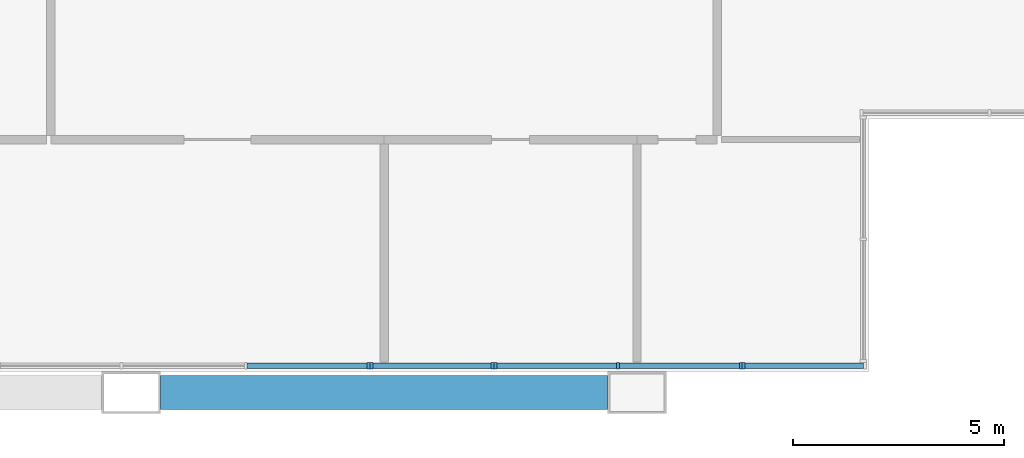
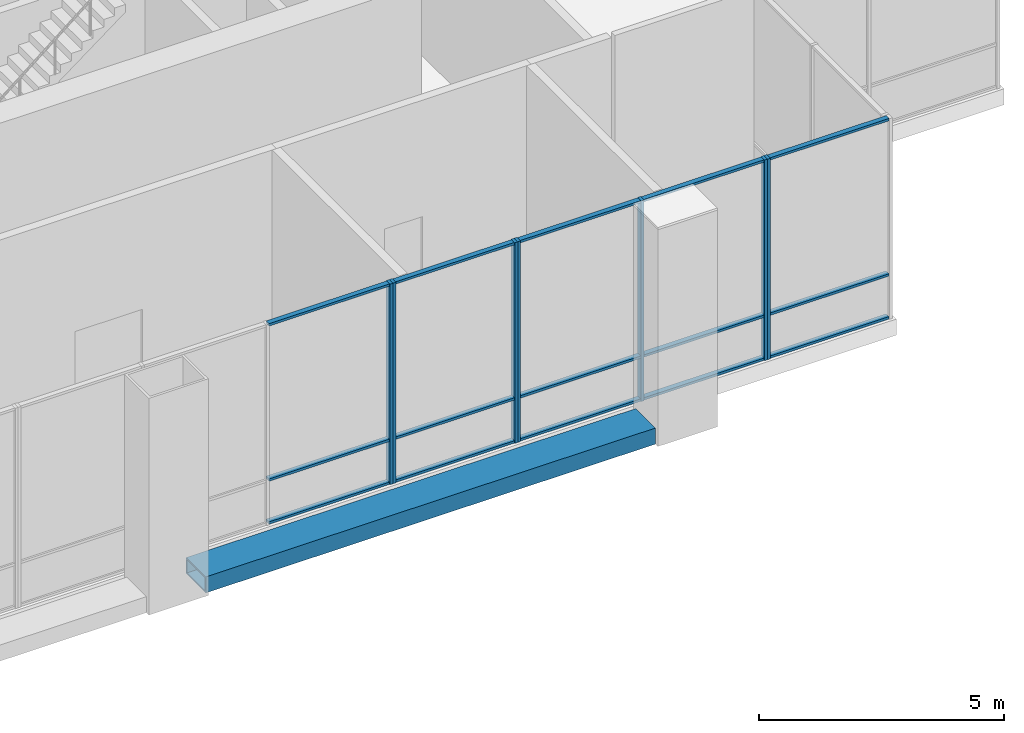
# One storey, part 6 of 20: 22 members, 1 beam, 4 elements without a shape of their own.
"""IFC4 building model written with IfcOpenShell, lengths in metres."""

from ifc_helpers import new_model, si_unit, direction, frame, origin, origin_2d, place, context, subcontext, project, spatial, rectangle, hollow_rectangle, extrude, material, material_profile, profile_set, type_object, element, aggregate, save


model = new_model("IFC4")

# Units and contexts
model_context = context("Model", 3, precision=1e-05, world=origin(), true_north=direction((0.0, 1.0)))
body_context = subcontext(model_context, "Body", "Model", "MODEL_VIEW")
ifc_project = project(units=[si_unit("LENGTHUNIT", "METRE"), si_unit("AREAUNIT", "SQUARE_METRE"), si_unit("VOLUMEUNIT", "CUBIC_METRE"), si_unit("PLANEANGLEUNIT", "RADIAN"), si_unit("MASSUNIT", "GRAM", prefix="KILO")], contexts=[model_context])

# Site, building, storey
site_placement = place(None, origin())
site = spatial("IfcSite", under=ifc_project, at=site_placement, CompositionType="ELEMENT")
building_placement = place(site_placement, origin())
building = spatial("IfcBuilding", under=site, at=building_placement, Name="Kitamizu Gate Tower and Museum", CompositionType="ELEMENT")
storey_placement = place(building_placement, frame((0.0, 0.0, 148.35009765625)))
storey = spatial("IfcBuildingStorey", under=building, at=storey_placement, Name="L39", CompositionType="ELEMENT", Elevation=148.35009765625)

# Beam
ifc_material_1 = material(Name="Steel SM490A bronze coated", Category="steel")
ifc_material_profile_1 = material_profile(ifc_material_1, hollow_rectangle(XDim=0.800048828125, YDim=0.39990234375, WallThickness=0.0400390625, at=origin_2d()), Name="BOX 800x400x40")
ifc_profile_set_1 = profile_set([ifc_material_profile_1], Name="Steel SM490A bronze coated")
beam_type = type_object("IfcBeamType", Name="Exoskeleton spandrel beam SB1 BOX 800x400x40", PredefinedType="SPANDREL", material=ifc_profile_set_1)
beam_placement = place(storey_placement, frame((48.699951171875, 12.0, -0.2001953125), z_axis=(1.0, 0.0, 0.0), x_axis=(0.0, 1.0, 0.0)))
element("IfcBeam", 1, at=beam_placement, inside=storey, type_object=beam_type, Name="Exoskeleton spandrel beam south 48 L39", PredefinedType="SPANDREL", context=body_context, shape_type="SweptSolid", body=[
    extrude(hollow_rectangle(XDim=0.800048828125, YDim=0.39990234375, WallThickness=0.0400390625, at=origin_2d()), origin(), (0.0, 0.0, 1.0), 10.60009765625),
])

# Curtain wall, member
ifc_material_2 = material(Name="Bronze anodised aluminium frame, insulated panels", Category="aluminium")
curtain_wall_type_1 = type_object("IfcCurtainWallType", Name="CURTAIN WALL TYPE B SKY LOBBY INSULATED", PredefinedType="NOTDEFINED", material=ifc_material_2)
curtain_wall_1_placement = place(storey_placement, origin())
curtain_wall_1 = element("IfcCurtainWall", 2, at=curtain_wall_1_placement, inside=storey, type_object=curtain_wall_type_1, Name="Curtain wall CW-BI south L39 part 8", PredefinedType="NOTDEFINED")
ifc_material_3 = material(Name="Bronze anodised aluminium", Category="aluminium")
ifc_material_profile_2 = material_profile(ifc_material_3, rectangle(XDim=0.070068359375, YDim=0.14990234375, at=origin_2d()), Name="AL 70X150")
ifc_profile_set_2 = profile_set([ifc_material_profile_2], Name="Bronze anodised aluminium")
member_type_1 = type_object("IfcMemberType", Name="MULLION 70 X 150 TYPE B", PredefinedType="MULLION", material=ifc_profile_set_2)
member_1_placement = place(storey_placement, frame((53.62890625, 12.635009765625, 0.0), z_axis=(0.0, 0.0, 1.0), x_axis=(1.0, 0.0, 0.0)))
member_1 = element("IfcMember", 3, at=member_1_placement, type_object=member_type_1, Name="CW-BI mullion 4", PredefinedType="MULLION", context=body_context, shape_type="SweptSolid", body=[
    extrude(rectangle(XDim=0.070068359375, YDim=0.14990234375, at=origin_2d()), origin(), (0.0, 0.0, 1.0), 5.0),
])

# Curtain wall, members
ifc_material_4 = material(Name="Bronze anodised aluminium frame, tinted triple glazing", Category="aluminium")
curtain_wall_type_2 = type_object("IfcCurtainWallType", Name="CURTAIN WALL TYPE B SKY LOBBY", PredefinedType="NOTDEFINED", material=ifc_material_4)
curtain_wall_2_placement = place(storey_placement, origin())
curtain_wall_2 = element("IfcCurtainWall", 4, at=curtain_wall_2_placement, inside=storey, type_object=curtain_wall_type_2, Name="Curtain wall CW-B south L39 part 9", PredefinedType="NOTDEFINED")
member_2_placement = place(storey_placement, frame((53.698974609375, 12.635009765625, 0.0), z_axis=(0.0, 0.0, 1.0), x_axis=(1.0, 0.0, 0.0)))
member_2 = element("IfcMember", 5, at=member_2_placement, type_object=member_type_1, Name="CW-B mullion 1", PredefinedType="MULLION", context=body_context, shape_type="SweptSolid", body=[
    extrude(rectangle(XDim=0.070068359375, YDim=0.14990234375, at=origin_2d()), origin(), (0.0, 0.0, 1.0), 5.0),
])
member_3_placement = place(storey_placement, frame((56.572998046875, 12.635009765625, 0.0), z_axis=(0.0, 0.0, 1.0), x_axis=(1.0, 0.0, 0.0)))
member_3 = element("IfcMember", 6, at=member_3_placement, type_object=member_type_1, Name="CW-B mullion 2", PredefinedType="MULLION", context=body_context, shape_type="SweptSolid", body=[
    extrude(rectangle(XDim=0.070068359375, YDim=0.14990234375, at=origin_2d()), origin(), (0.0, 0.0, 1.0), 5.0),
])

curtain_wall_3_placement = place(storey_placement, origin())
curtain_wall_3 = element("IfcCurtainWall", 7, at=curtain_wall_3_placement, inside=storey, type_object=curtain_wall_type_1, Name="Curtain wall CW-BI south L39 part 10", PredefinedType="NOTDEFINED")
member_4_placement = place(storey_placement, frame((56.64306640625, 12.635009765625, 0.0), z_axis=(0.0, 0.0, 1.0), x_axis=(1.0, 0.0, 0.0)))
member_4 = element("IfcMember", 8, at=member_4_placement, type_object=member_type_1, Name="CW-BI mullion 1", PredefinedType="MULLION", context=body_context, shape_type="SweptSolid", body=[
    extrude(rectangle(XDim=0.070068359375, YDim=0.14990234375, at=origin_2d()), origin(), (0.0, 0.0, 1.0), 5.0),
])
member_5_placement = place(storey_placement, frame((59.552001953125, 12.635009765625, 0.0), z_axis=(0.0, 0.0, 1.0), x_axis=(1.0, 0.0, 0.0)))
member_5 = element("IfcMember", 9, at=member_5_placement, type_object=member_type_1, Name="CW-BI mullion 2", PredefinedType="MULLION", context=body_context, shape_type="SweptSolid", body=[
    extrude(rectangle(XDim=0.070068359375, YDim=0.14990234375, at=origin_2d()), origin(), (0.0, 0.0, 1.0), 5.0),
])
member_6_placement = place(storey_placement, frame((62.4609375, 12.635009765625, 0.0), z_axis=(0.0, 0.0, 1.0), x_axis=(1.0, 0.0, 0.0)))
member_6 = element("IfcMember", 10, at=member_6_placement, type_object=member_type_1, Name="CW-BI mullion 3", PredefinedType="MULLION", context=body_context, shape_type="SweptSolid", body=[
    extrude(rectangle(XDim=0.070068359375, YDim=0.14990234375, at=origin_2d()), origin(), (0.0, 0.0, 1.0), 5.0),
])

# Curtain wall, member
curtain_wall_4_placement = place(storey_placement, origin())
curtain_wall_4 = element("IfcCurtainWall", 11, at=curtain_wall_4_placement, inside=storey, type_object=curtain_wall_type_2, Name="Curtain wall CW-B south L39 part 11", PredefinedType="NOTDEFINED")
member_7_placement = place(storey_placement, frame((62.531005859375, 12.635009765625, 0.0), z_axis=(0.0, 0.0, 1.0), x_axis=(1.0, 0.0, 0.0)))
member_7 = element("IfcMember", 12, at=member_7_placement, type_object=member_type_1, Name="CW-B mullion 1", PredefinedType="MULLION", context=body_context, shape_type="SweptSolid", body=[
    extrude(rectangle(XDim=0.070068359375, YDim=0.14990234375, at=origin_2d()), origin(), (0.0, 0.0, 1.0), 5.0),
])

# Member
ifc_material_5 = material(Name="Bronze anodised aluminium", Category="aluminium")
ifc_material_profile_3 = material_profile(ifc_material_5, rectangle(XDim=0.1201171875, YDim=0.06005859375, at=origin_2d()), Name="AL 60X120")
ifc_profile_set_3 = profile_set([ifc_material_profile_3], Name="Bronze anodised aluminium")
member_type_2 = type_object("IfcMemberType", Name="TRANSOM 60 X 120 TYPE B", PredefinedType="USERDEFINED", material=ifc_profile_set_3)
member_8_placement = place(storey_placement, frame((50.7548828125, 12.635009765625, 0.02978515625), z_axis=(1.0, 0.0, 0.0), x_axis=(0.0, 1.0, 0.0)))
member_8 = element("IfcMember", 13, at=member_8_placement, type_object=member_type_2, Name="CW-BI transom 3.1", ObjectType="TRANSOM", PredefinedType="USERDEFINED", context=body_context, shape_type="SweptSolid", body=[
    extrude(rectangle(XDim=0.1201171875, YDim=0.06005859375, at=origin_2d()), origin(), (0.0, 0.0, 1.0), 2.839111328125),
])

member_9_placement = place(storey_placement, frame((50.7548828125, 12.635009765625, 1.099853515625), z_axis=(1.0, 0.0, 0.0), x_axis=(0.0, 1.0, 0.0)))
member_9 = element("IfcMember", 14, at=member_9_placement, type_object=member_type_2, Name="CW-BI transom 3.2", ObjectType="TRANSOM", PredefinedType="USERDEFINED", context=body_context, shape_type="SweptSolid", body=[
    extrude(rectangle(XDim=0.1201171875, YDim=0.06005859375, at=origin_2d()), origin(), (0.0, 0.0, 1.0), 2.839111328125),
])

member_10_placement = place(storey_placement, frame((50.7548828125, 12.635009765625, 4.969970703125), z_axis=(1.0, 0.0, 0.0), x_axis=(0.0, 1.0, 0.0)))
member_10 = element("IfcMember", 15, at=member_10_placement, type_object=member_type_2, Name="CW-BI transom 3.3", ObjectType="TRANSOM", PredefinedType="USERDEFINED", context=body_context, shape_type="SweptSolid", body=[
    extrude(rectangle(XDim=0.1201171875, YDim=0.06005859375, at=origin_2d()), origin(), (0.0, 0.0, 1.0), 2.839111328125),
])

aggregate(curtain_wall_1, [member_1, member_8, member_9, member_10])

member_11_placement = place(storey_placement, frame((53.73388671875, 12.635009765625, 0.02978515625), z_axis=(1.0, 0.0, 0.0), x_axis=(0.0, 1.0, 0.0)))
member_11 = element("IfcMember", 16, at=member_11_placement, type_object=member_type_2, Name="CW-B transom 1.1", ObjectType="TRANSOM", PredefinedType="USERDEFINED", context=body_context, shape_type="SweptSolid", body=[
    extrude(rectangle(XDim=0.1201171875, YDim=0.06005859375, at=origin_2d()), origin(), (0.0, 0.0, 1.0), 2.80419921875),
])

member_12_placement = place(storey_placement, frame((53.73388671875, 12.635009765625, 1.099853515625), z_axis=(1.0, 0.0, 0.0), x_axis=(0.0, 1.0, 0.0)))
member_12 = element("IfcMember", 17, at=member_12_placement, type_object=member_type_2, Name="CW-B transom 1.2", ObjectType="TRANSOM", PredefinedType="USERDEFINED", context=body_context, shape_type="SweptSolid", body=[
    extrude(rectangle(XDim=0.1201171875, YDim=0.06005859375, at=origin_2d()), origin(), (0.0, 0.0, 1.0), 2.80419921875),
])

member_13_placement = place(storey_placement, frame((53.73388671875, 12.635009765625, 4.969970703125), z_axis=(1.0, 0.0, 0.0), x_axis=(0.0, 1.0, 0.0)))
member_13 = element("IfcMember", 18, at=member_13_placement, type_object=member_type_2, Name="CW-B transom 1.3", ObjectType="TRANSOM", PredefinedType="USERDEFINED", context=body_context, shape_type="SweptSolid", body=[
    extrude(rectangle(XDim=0.1201171875, YDim=0.06005859375, at=origin_2d()), origin(), (0.0, 0.0, 1.0), 2.80419921875),
])

aggregate(curtain_wall_2, [member_2, member_3, member_11, member_12, member_13])

member_14_placement = place(storey_placement, frame((56.677978515625, 12.635009765625, 0.02978515625), z_axis=(1.0, 0.0, 0.0), x_axis=(0.0, 1.0, 0.0)))
member_14 = element("IfcMember", 19, at=member_14_placement, type_object=member_type_2, Name="CW-BI transom 1.1", ObjectType="TRANSOM", PredefinedType="USERDEFINED", context=body_context, shape_type="SweptSolid", body=[
    extrude(rectangle(XDim=0.1201171875, YDim=0.06005859375, at=origin_2d()), origin(), (0.0, 0.0, 1.0), 2.839111328125),
])

member_15_placement = place(storey_placement, frame((56.677978515625, 12.635009765625, 1.099853515625), z_axis=(1.0, 0.0, 0.0), x_axis=(0.0, 1.0, 0.0)))
member_15 = element("IfcMember", 20, at=member_15_placement, type_object=member_type_2, Name="CW-BI transom 1.2", ObjectType="TRANSOM", PredefinedType="USERDEFINED", context=body_context, shape_type="SweptSolid", body=[
    extrude(rectangle(XDim=0.1201171875, YDim=0.06005859375, at=origin_2d()), origin(), (0.0, 0.0, 1.0), 2.839111328125),
])

member_16_placement = place(storey_placement, frame((56.677978515625, 12.635009765625, 4.969970703125), z_axis=(1.0, 0.0, 0.0), x_axis=(0.0, 1.0, 0.0)))
member_16 = element("IfcMember", 21, at=member_16_placement, type_object=member_type_2, Name="CW-BI transom 1.3", ObjectType="TRANSOM", PredefinedType="USERDEFINED", context=body_context, shape_type="SweptSolid", body=[
    extrude(rectangle(XDim=0.1201171875, YDim=0.06005859375, at=origin_2d()), origin(), (0.0, 0.0, 1.0), 2.839111328125),
])

member_17_placement = place(storey_placement, frame((59.5869140625, 12.635009765625, 0.02978515625), z_axis=(1.0, 0.0, 0.0), x_axis=(0.0, 1.0, 0.0)))
member_17 = element("IfcMember", 22, at=member_17_placement, type_object=member_type_2, Name="CW-BI transom 2.1", ObjectType="TRANSOM", PredefinedType="USERDEFINED", context=body_context, shape_type="SweptSolid", body=[
    extrude(rectangle(XDim=0.1201171875, YDim=0.06005859375, at=origin_2d()), origin(), (0.0, 0.0, 1.0), 2.839111328125),
])

member_18_placement = place(storey_placement, frame((59.5869140625, 12.635009765625, 1.099853515625), z_axis=(1.0, 0.0, 0.0), x_axis=(0.0, 1.0, 0.0)))
member_18 = element("IfcMember", 23, at=member_18_placement, type_object=member_type_2, Name="CW-BI transom 2.2", ObjectType="TRANSOM", PredefinedType="USERDEFINED", context=body_context, shape_type="SweptSolid", body=[
    extrude(rectangle(XDim=0.1201171875, YDim=0.06005859375, at=origin_2d()), origin(), (0.0, 0.0, 1.0), 2.839111328125),
])

member_19_placement = place(storey_placement, frame((59.5869140625, 12.635009765625, 4.969970703125), z_axis=(1.0, 0.0, 0.0), x_axis=(0.0, 1.0, 0.0)))
member_19 = element("IfcMember", 24, at=member_19_placement, type_object=member_type_2, Name="CW-BI transom 2.3", ObjectType="TRANSOM", PredefinedType="USERDEFINED", context=body_context, shape_type="SweptSolid", body=[
    extrude(rectangle(XDim=0.1201171875, YDim=0.06005859375, at=origin_2d()), origin(), (0.0, 0.0, 1.0), 2.839111328125),
])

aggregate(curtain_wall_3, [member_4, member_5, member_6, member_14, member_15, member_16, member_17, member_18, member_19])

member_20_placement = place(storey_placement, frame((62.56591796875, 12.635009765625, 0.02978515625), z_axis=(1.0, 0.0, 0.0), x_axis=(0.0, 1.0, 0.0)))
member_20 = element("IfcMember", 25, at=member_20_placement, type_object=member_type_2, Name="CW-B transom 1.1", ObjectType="TRANSOM", PredefinedType="USERDEFINED", context=body_context, shape_type="SweptSolid", body=[
    extrude(rectangle(XDim=0.1201171875, YDim=0.06005859375, at=origin_2d()), origin(), (0.0, 0.0, 1.0), 2.80419921875),
])

member_21_placement = place(storey_placement, frame((62.56591796875, 12.635009765625, 1.099853515625), z_axis=(1.0, 0.0, 0.0), x_axis=(0.0, 1.0, 0.0)))
member_21 = element("IfcMember", 26, at=member_21_placement, type_object=member_type_2, Name="CW-B transom 1.2", ObjectType="TRANSOM", PredefinedType="USERDEFINED", context=body_context, shape_type="SweptSolid", body=[
    extrude(rectangle(XDim=0.1201171875, YDim=0.06005859375, at=origin_2d()), origin(), (0.0, 0.0, 1.0), 2.80419921875),
])

member_22_placement = place(storey_placement, frame((62.56591796875, 12.635009765625, 4.969970703125), z_axis=(1.0, 0.0, 0.0), x_axis=(0.0, 1.0, 0.0)))
member_22 = element("IfcMember", 27, at=member_22_placement, type_object=member_type_2, Name="CW-B transom 1.3", ObjectType="TRANSOM", PredefinedType="USERDEFINED", context=body_context, shape_type="SweptSolid", body=[
    extrude(rectangle(XDim=0.1201171875, YDim=0.06005859375, at=origin_2d()), origin(), (0.0, 0.0, 1.0), 2.80419921875),
])

aggregate(curtain_wall_4, [member_7, member_20, member_21, member_22])

save(model, "model.ifc")
